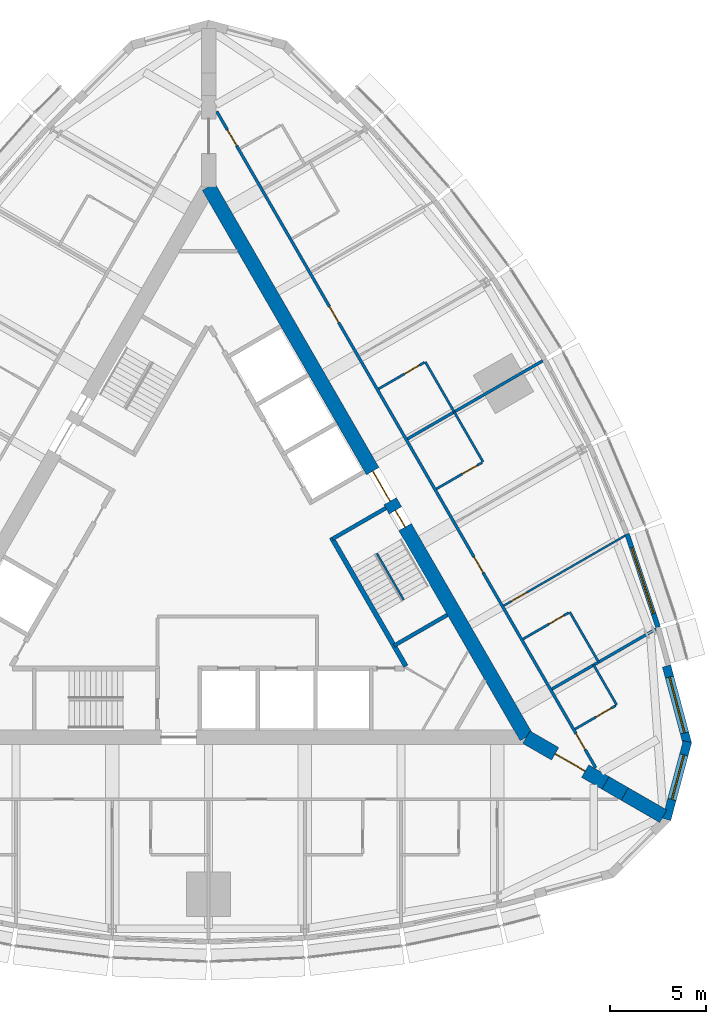
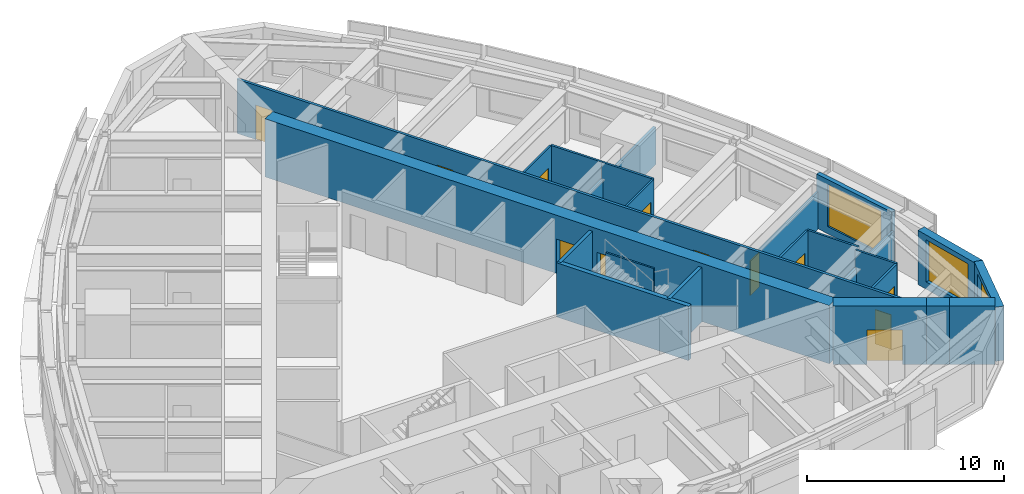
# One storey, part 12 of 15: 23 walls, 12 doors, 3 windows, 15 openings.
"""IFC4 building model written with IfcOpenShell, lengths in metres."""

from ifc_helpers import new_model, si_unit, direction, frame, frame_2d, origin, place, context, subcontext, project, spatial, polyline, rectangle, outline, extrude, material, layer, layer_set, type_object, element, fill, save


model = new_model("IFC4")

# Units and contexts
model_context = context("Model", 3, precision=1e-05, world=origin(), true_north=direction((0.0, 1.0)))
body_context = subcontext(model_context, "Body", "Model", "MODEL_VIEW")
ifc_project = project(units=[si_unit("LENGTHUNIT", "METRE"), si_unit("AREAUNIT", "SQUARE_METRE"), si_unit("VOLUMEUNIT", "CUBIC_METRE"), si_unit("PLANEANGLEUNIT", "RADIAN"), si_unit("MASSUNIT", "GRAM", prefix="KILO")], contexts=[model_context])

# Site, building, storey
site_placement = place(None, origin())
site = spatial("IfcSite", under=ifc_project, at=site_placement, CompositionType="ELEMENT")
building_placement = place(site_placement, origin())
building = spatial("IfcBuilding", under=site, at=building_placement, Name="Trikona Tower", CompositionType="ELEMENT")
storey_placement = place(building_placement, frame((0.0, 0.0, 229.699951171875)))
storey = spatial("IfcBuildingStorey", under=building, at=storey_placement, Name="L61", CompositionType="ELEMENT", Elevation=229.699951171875)

# Wall
ifc_material_1 = material(Name="Metal stud and cement board", Category="gypsum")
ifc_layer_1 = layer(ifc_material_1, 0.1201171875)
ifc_layer_set_1 = layer_set([ifc_layer_1], Name="Bathroom wall 120")
wall_type_1 = type_object("IfcWallType", Name="Bathroom wall 120", PredefinedType="PLUMBINGWALL", material=ifc_layer_set_1)
wall_1_placement = place(storey_placement, frame((21.193603515625, -7.855712890625, 0.0), z_axis=(0.0, 0.0, 1.0), x_axis=(-0.500033551112, 0.866006032174, 0.0)))
element("IfcWall", 1, at=wall_1_placement, inside=storey, type_object=wall_type_1, Name="Bathroom wall 6105", PredefinedType="PLUMBINGWALL", context=body_context, shape_type="SweptSolid", body=[
    extrude(rectangle(XDim=2.400146484375, YDim=0.1201171875, at=frame_2d((1.2001953125, 0.0))), origin(), (0.0, 0.0, 1.0), 3.35009765625),
])

# Wall, opening, door
wall_2_placement = place(storey_placement, frame((19.028564453125, -9.105712890625, 0.0), z_axis=(0.0, 0.0, 1.0), x_axis=(0.866023955769, 0.500002508028, 0.0)))
wall_2 = element("IfcWall", 2, at=wall_2_placement, inside=storey, type_object=wall_type_1, Name="Bathroom wall 6105", PredefinedType="PLUMBINGWALL", context=body_context, shape_type="SweptSolid", body=[
    extrude(rectangle(XDim=2.43994140625, YDim=0.1201171875, at=frame_2d((1.219970703125, 0.0))), origin(), (0.0, 0.0, 1.0), 3.35009765625),
])
opening_1_placement = place(wall_2_placement, frame((1.25, 0.0, 0.0)))
opening_1 = element("IfcOpeningElement", 3, at=opening_1_placement, cuts=wall_2, Name="Opening D2", PredefinedType="OPENING", context=body_context, shape_type="SweptSolid", body=[
    extrude(rectangle(XDim=0.89990234375, YDim=2.1298828125, at=frame_2d((0.449951171875, 1.06494140625))), frame((0.0, 0.070068359375, 0.0), z_axis=(0.0, -1.0, 0.0), x_axis=(1.0, 0.0, 0.0)), (0.0, 0.0, 1.0), 0.14013671875),
])
ifc_material_2 = material(Name="Steel door frame with solid-core timber leaf", Category="steel")
door_type_1 = type_object("IfcDoorType", Name="Bathroom door 900x2130", OperationType="SLIDING_TO_LEFT", PredefinedType="DOOR", material=ifc_material_2)
door_1_placement = place(opening_1_placement, origin())
door_1 = element("IfcDoor", 4, at=door_1_placement, inside=storey, type_object=door_type_1, Name="Bathroom door 6105", OperationType="SLIDING_TO_LEFT", OverallHeight=2.1298828125, OverallWidth=0.89990234375, PredefinedType="DOOR", context=body_context, shape_type="SweptSolid", body=[
    extrude(rectangle(XDim=0.89990234375, YDim=2.1298828125, at=frame_2d((0.449951171875, 1.06494140625))), frame((0.0, 0.02490234375, 0.0), z_axis=(0.0, -1.0, 0.0), x_axis=(1.0, 0.0, 0.0)), (0.0, 0.0, 1.0), 0.050048828125),
])
fill(opening_1, door_1)

# Wall
wall_3_placement = place(storey_placement, frame((20.25341796875, -5.627197265625, 0.0), z_axis=(0.0, 0.0, 1.0), x_axis=(-0.50002537861, 0.866010750942, 0.0)))
element("IfcWall", 5, at=wall_3_placement, inside=storey, type_object=wall_type_1, Name="Bathroom wall 6106.1", PredefinedType="PLUMBINGWALL", context=body_context, shape_type="SweptSolid", body=[
    extrude(rectangle(XDim=2.999755859375, YDim=0.1201171875, at=frame_2d((1.5, 0.0))), origin(), (0.0, 0.0, 1.0), 3.35009765625),
])

# Wall, opening, door
wall_4_placement = place(storey_placement, frame((16.32861328125, -4.42919921875, 0.0), z_axis=(0.0, 0.0, 1.0), x_axis=(0.865997131366, 0.500048966069, 0.0)))
wall_4 = element("IfcWall", 6, at=wall_4_placement, inside=storey, type_object=wall_type_1, Name="Bathroom wall 6106.1", PredefinedType="PLUMBINGWALL", context=body_context, shape_type="SweptSolid", body=[
    extrude(rectangle(XDim=2.739990234375, YDim=0.1201171875, at=frame_2d((1.3701171875, 0.0))), origin(), (0.0, 0.0, 1.0), 3.35009765625),
])
opening_2_placement = place(wall_4_placement, frame((1.550048828125, 0.0, 0.0)))
opening_2 = element("IfcOpeningElement", 7, at=opening_2_placement, cuts=wall_4, Name="Opening D2", PredefinedType="OPENING", context=body_context, shape_type="SweptSolid", body=[
    extrude(rectangle(XDim=0.89990234375, YDim=2.1298828125, at=frame_2d((0.449951171875, 1.06494140625))), frame((0.0, 0.070068359375, 0.0), z_axis=(0.0, -1.0, 0.0), x_axis=(1.0, 0.0, 0.0)), (0.0, 0.0, 1.0), 0.14013671875),
])
door_2_placement = place(opening_2_placement, origin())
door_2 = element("IfcDoor", 8, at=door_2_placement, inside=storey, type_object=door_type_1, Name="Bathroom door 6106.1", OperationType="SLIDING_TO_LEFT", OverallHeight=2.1298828125, OverallWidth=0.89990234375, PredefinedType="DOOR", context=body_context, shape_type="SweptSolid", body=[
    extrude(rectangle(XDim=0.89990234375, YDim=2.1298828125, at=frame_2d((0.449951171875, 1.06494140625))), frame((0.0, 0.02490234375, 0.0), z_axis=(0.0, -1.0, 0.0), x_axis=(1.0, 0.0, 0.0)), (0.0, 0.0, 1.0), 0.050048828125),
])
fill(opening_2, door_2)

# Wall
wall_5_placement = place(storey_placement, frame((14.25341796875, 4.76513671875, 0.0), z_axis=(0.0, 0.0, 1.0), x_axis=(-0.50002537861, 0.866010750942, 0.0)))
element("IfcWall", 9, at=wall_5_placement, inside=storey, type_object=wall_type_1, Name="Bathroom wall 6106.2", PredefinedType="PLUMBINGWALL", context=body_context, shape_type="SweptSolid", body=[
    extrude(rectangle(XDim=2.999755859375, YDim=0.1201171875, at=frame_2d((1.5, 0.0))), origin(), (0.0, 0.0, 1.0), 3.35009765625),
])

# Wall, opening, door
wall_6_placement = place(storey_placement, frame((11.82861328125, 3.364990234375, 0.0), z_axis=(0.0, 0.0, 1.0), x_axis=(0.865997131366, 0.500048966069, 0.0)))
wall_6 = element("IfcWall", 10, at=wall_6_placement, inside=storey, type_object=wall_type_1, Name="Bathroom wall 6106.2", PredefinedType="PLUMBINGWALL", context=body_context, shape_type="SweptSolid", body=[
    extrude(rectangle(XDim=2.739990234375, YDim=0.1201171875, at=frame_2d((1.3701171875, 0.0))), origin(), (0.0, 0.0, 1.0), 3.35009765625),
])
opening_3_placement = place(wall_6_placement, frame((1.550048828125, 0.0, 0.0)))
opening_3 = element("IfcOpeningElement", 11, at=opening_3_placement, cuts=wall_6, Name="Opening D2", PredefinedType="OPENING", context=body_context, shape_type="SweptSolid", body=[
    extrude(rectangle(XDim=0.89990234375, YDim=2.1298828125, at=frame_2d((0.449951171875, 1.06494140625))), frame((0.0, 0.070068359375, 0.0), z_axis=(0.0, -1.0, 0.0), x_axis=(1.0, 0.0, 0.0)), (0.0, 0.0, 1.0), 0.14013671875),
])
door_3_placement = place(opening_3_placement, origin())
door_3 = element("IfcDoor", 12, at=door_3_placement, inside=storey, type_object=door_type_1, Name="Bathroom door 6106.2", OperationType="SLIDING_TO_LEFT", OverallHeight=2.1298828125, OverallWidth=0.89990234375, PredefinedType="DOOR", context=body_context, shape_type="SweptSolid", body=[
    extrude(rectangle(XDim=0.89990234375, YDim=2.1298828125, at=frame_2d((0.449951171875, 1.06494140625))), frame((0.0, 0.02490234375, 0.0), z_axis=(0.0, -1.0, 0.0), x_axis=(1.0, 0.0, 0.0)), (0.0, 0.0, 1.0), 0.050048828125),
])
fill(opening_3, door_3)

# Wall
wall_7_placement = place(storey_placement, frame((12.75341796875, 7.363037109375, 0.0), z_axis=(0.0, 0.0, 1.0), x_axis=(-0.499990139034, 0.866031096941, 0.0)))
element("IfcWall", 13, at=wall_7_placement, inside=storey, type_object=wall_type_1, Name="Bathroom wall 6107.1", PredefinedType="PLUMBINGWALL", context=body_context, shape_type="SweptSolid", body=[
    extrude(rectangle(XDim=3.0, YDim=0.1201171875, at=frame_2d((1.5, 0.0))), origin(), (0.0, 0.0, 1.0), 3.35009765625),
])

# Wall, opening, door
wall_8_placement = place(storey_placement, frame((8.82861328125, 8.561279296875, 0.0), z_axis=(0.0, 0.0, 1.0), x_axis=(0.866035715982, 0.499982138324, 0.0)))
wall_8 = element("IfcWall", 14, at=wall_8_placement, inside=storey, type_object=wall_type_1, Name="Bathroom wall 6107.1", PredefinedType="PLUMBINGWALL", context=body_context, shape_type="SweptSolid", body=[
    extrude(rectangle(XDim=2.73974609375, YDim=0.1201171875, at=frame_2d((1.369873046875, 0.0))), origin(), (0.0, 0.0, 1.0), 3.35009765625),
])
opening_4_placement = place(wall_8_placement, frame((1.550048828125, 0.0, 0.0)))
opening_4 = element("IfcOpeningElement", 15, at=opening_4_placement, cuts=wall_8, Name="Opening D2", PredefinedType="OPENING", context=body_context, shape_type="SweptSolid", body=[
    extrude(rectangle(XDim=0.89990234375, YDim=2.1298828125, at=frame_2d((0.449951171875, 1.06494140625))), frame((0.0, 0.070068359375, 0.0), z_axis=(0.0, -1.0, 0.0), x_axis=(1.0, 0.0, 0.0)), (0.0, 0.0, 1.0), 0.14013671875),
])
door_4_placement = place(opening_4_placement, origin())
door_4 = element("IfcDoor", 16, at=door_4_placement, inside=storey, type_object=door_type_1, Name="Bathroom door 6107.1", OperationType="SLIDING_TO_LEFT", OverallHeight=2.1298828125, OverallWidth=0.89990234375, PredefinedType="DOOR", context=body_context, shape_type="SweptSolid", body=[
    extrude(rectangle(XDim=0.89990234375, YDim=2.1298828125, at=frame_2d((0.449951171875, 1.06494140625))), frame((0.0, 0.02490234375, 0.0), z_axis=(0.0, -1.0, 0.0), x_axis=(1.0, 0.0, 0.0)), (0.0, 0.0, 1.0), 0.050048828125),
])
fill(opening_4, door_4)

# Wall, opening, window
ifc_material_3 = material(Name="Brick-faced precast concrete", Category="masonry")
ifc_layer_2 = layer(ifc_material_3, 0.449951171875)
ifc_layer_set_2 = layer_set([ifc_layer_2], Name="Brick-faced corner wall 450")
wall_type_2 = type_object("IfcWallType", Name="Brick-faced corner wall 450", PredefinedType="SOLIDWALL", material=ifc_layer_set_2)
wall_9_placement = place(storey_placement, frame((23.78271484375, -13.798095703125, 0.0), z_axis=(0.0, 0.0, 1.0), x_axis=(0.258799282522, 0.96593112144, 0.0)))
wall_9 = element("IfcWall", 17, at=wall_9_placement, inside=storey, type_object=wall_type_2, Name="External wall L61-10", PredefinedType="SOLIDWALL", context=body_context, shape_type="SweptSolid", body=[
    extrude(outline(polyline([(4.183837890625, 0.22509765625), (0.5087890625, 0.22509765625), (0.478759765625, 0.112548828125), (0.059326171875, 0.22509765625), (0.0, 0.22509765625), (0.0, -0.22509765625), (4.183837890625, -0.22509765625), (4.183837890625, 0.22509765625)])), origin(), (0.0, 0.0, 1.0), 3.35009765625),
])
opening_5_placement = place(wall_9_placement, frame((1.0712890625, 0.0, 0.449951171875)))
opening_5 = element("IfcOpeningElement", 18, at=opening_5_placement, cuts=wall_9, Name="Opening W2426", PredefinedType="OPENING", context=body_context, shape_type="SweptSolid", body=[
    extrude(rectangle(XDim=2.39990234375, YDim=2.60009765625, at=frame_2d((1.199951171875, 1.300048828125))), frame((0.0, 0.23486328125, 0.0), z_axis=(0.0, -1.0, 0.0), x_axis=(1.0, 0.0, 0.0)), (0.0, 0.0, 1.0), 0.469970703125),
])
ifc_material_4 = material(Name="Aluminium-framed double glazing", Category="aluminium")
window_type_1 = type_object("IfcWindowType", Name="Window 2400x2600", PartitioningType="SINGLE_PANEL", PredefinedType="WINDOW", material=ifc_material_4)
window_1_placement = place(opening_5_placement, origin())
window_1 = element("IfcWindow", 19, at=window_1_placement, inside=storey, type_object=window_type_1, Name="Window 6105", OverallHeight=2.60009765625, OverallWidth=2.39990234375, PartitioningType="SINGLE_PANEL", PredefinedType="WINDOW", context=body_context, shape_type="SweptSolid", body=[
    extrude(rectangle(XDim=2.39990234375, YDim=2.60009765625, at=frame_2d((1.199951171875, 1.300048828125))), frame((0.0, 0.030029296875, 0.0), z_axis=(0.0, -1.0, 0.0), x_axis=(1.0, 0.0, 0.0)), (0.0, 0.0, 1.0), 0.06005859375),
])
fill(opening_5, window_1)

wall_10_placement = place(storey_placement, frame((24.865478515625, -9.873291015625, 0.0), z_axis=(0.0, 0.0, 1.0), x_axis=(-0.258784695888, 0.965935029479, 0.0)))
wall_10 = element("IfcWall", 20, at=wall_10_placement, inside=storey, type_object=wall_type_2, Name="External wall L61-11", PredefinedType="SOLIDWALL", context=body_context, shape_type="SweptSolid", body=[
    extrude(rectangle(XDim=4.18408203125, YDim=0.449951171875, at=frame_2d((2.092041015625, 0.0))), origin(), (0.0, 0.0, 1.0), 3.35009765625),
])
opening_6_placement = place(wall_10_placement, frame((0.592041015625, 0.0, 0.449951171875)))
opening_6 = element("IfcOpeningElement", 21, at=opening_6_placement, cuts=wall_10, Name="Opening W3026", PredefinedType="OPENING", context=body_context, shape_type="SweptSolid", body=[
    extrude(rectangle(XDim=3.0, YDim=2.60009765625, at=frame_2d((1.5, 1.300048828125))), frame((0.0, 0.23486328125, 0.0), z_axis=(0.0, -1.0, 0.0), x_axis=(1.0, 0.0, 0.0)), (0.0, 0.0, 1.0), 0.469970703125),
])
ifc_material_5 = material(Name="Aluminium-framed double glazing", Category="aluminium")
window_type_2 = type_object("IfcWindowType", Name="Window 3000x2600", PartitioningType="SINGLE_PANEL", PredefinedType="WINDOW", material=ifc_material_5)
window_2_placement = place(opening_6_placement, origin())
window_2 = element("IfcWindow", 22, at=window_2_placement, inside=storey, type_object=window_type_2, Name="Window 6105", OverallHeight=2.60009765625, OverallWidth=3.0, PartitioningType="SINGLE_PANEL", PredefinedType="WINDOW", context=body_context, shape_type="SweptSolid", body=[
    extrude(rectangle(XDim=3.0, YDim=2.60009765625, at=frame_2d((1.5, 1.300048828125))), frame((0.0, 0.030029296875, 0.0), z_axis=(0.0, -1.0, 0.0), x_axis=(1.0, 0.0, 0.0)), (0.0, 0.0, 1.0), 0.06005859375),
])
fill(opening_6, window_2)

# Wall, opening, door
ifc_material_6 = material(Name="Concrete f'c 10000 psi", Category="concrete")
ifc_layer_3 = layer(ifc_material_6, 0.75)
ifc_layer_set_3 = layer_set([ifc_layer_3], Name="Buttress wall 750")
wall_type_3 = type_object("IfcWallType", Name="Buttress wall 750", PredefinedType="SHEAR", material=ifc_layer_set_3)
wall_11_placement = place(storey_placement, frame((16.5, -9.5263671875, 0.0), z_axis=(0.0, 0.0, 1.0), x_axis=(0.866031398331, -0.499989616998, 0.0)))
wall_11 = element("IfcWall", 23, at=wall_11_placement, inside=storey, type_object=wall_type_3, Name="Buttress wall 1", PredefinedType="SHEAR", context=body_context, shape_type="SweptSolid", body=[
    extrude(rectangle(XDim=4.74609375, YDim=0.75, at=frame_2d((2.373046875, 0.0))), origin(), (0.0, 0.0, 1.0), 3.60009765625),
])
opening_7_placement = place(wall_11_placement, frame((1.72509765625, 0.0, 0.0)))
opening_7 = element("IfcOpeningElement", 24, at=opening_7_placement, cuts=wall_11, Name="Opening D10", PredefinedType="OPENING", context=body_context, shape_type="SweptSolid", body=[
    extrude(rectangle(XDim=1.800048828125, YDim=2.1298828125, at=frame_2d((0.89990234375, 1.06494140625))), frame((0.0, 0.385009765625, 0.0), z_axis=(0.0, -1.0, 0.0), x_axis=(1.0, 0.0, 0.0)), (0.0, 0.0, 1.0), 0.77001953125),
])
ifc_material_7 = material(Name="Hollow metal door and frame", Category="steel")
door_type_2 = type_object("IfcDoorType", Name="Cross-corridor door pair 1800x2130", OperationType="DOUBLE_DOOR_DOUBLE_SWING", PredefinedType="DOOR", material=ifc_material_7)
door_5_placement = place(opening_7_placement, origin())
door_5 = element("IfcDoor", 25, at=door_5_placement, inside=storey, type_object=door_type_2, Name="Cross-corridor door 1", OperationType="DOUBLE_DOOR_DOUBLE_SWING", OverallHeight=2.1298828125, OverallWidth=1.800048828125, PredefinedType="DOOR", context=body_context, shape_type="SweptSolid", body=[
    extrude(rectangle(XDim=1.800048828125, YDim=2.1298828125, at=frame_2d((0.89990234375, 1.06494140625))), frame((0.0, 0.02490234375, 0.0), z_axis=(0.0, -1.0, 0.0), x_axis=(1.0, 0.0, 0.0)), (0.0, 0.0, 1.0), 0.050048828125),
])
fill(opening_7, door_5)

# Walls
wall_12_placement = place(storey_placement, frame((20.6103515625, -11.8994140625, 0.0), z_axis=(0.0, 0.0, 1.0), x_axis=(0.866009537788, -0.500027479704, 0.0)))
element("IfcWall", 26, at=wall_12_placement, inside=storey, type_object=wall_type_3, Name="Buttress wall 1 part 2", PredefinedType="SHEAR", context=body_context, shape_type="SweptSolid", body=[
    extrude(rectangle(XDim=1.15478515625, YDim=0.75, at=frame_2d((0.577392578125, 0.0))), origin(), (0.0, 0.0, 1.0), 3.60009765625),
])
wall_13_placement = place(storey_placement, frame((21.6103515625, -12.476806640625, 0.0), z_axis=(0.0, 0.0, 1.0), x_axis=(0.866055313784, -0.499948190782, 0.0)))
element("IfcWall", 27, at=wall_13_placement, inside=storey, type_object=wall_type_3, Name="Buttress wall 1 part 3", PredefinedType="SHEAR", context=body_context, shape_type="SweptSolid", body=[
    extrude(rectangle(XDim=2.309326171875, YDim=0.75, at=frame_2d((1.15478515625, 0.0))), origin(), (0.0, 0.0, 1.0), 3.60009765625),
])

# Wall, openings, doors
ifc_material_8 = material(Name="Concrete f'c 10000 psi", Category="concrete")
ifc_layer_4 = layer(ifc_material_8, 0.75)
ifc_layer_set_4 = layer_set([ifc_layer_4], Name="Core wall 750")
wall_type_4 = type_object("IfcWallType", Name="Core wall 750", PredefinedType="SHEAR", material=ifc_layer_set_4)
wall_14_placement = place(storey_placement, frame((16.5, -9.5263671875, 0.0), z_axis=(0.0, 0.0, 1.0), x_axis=(-0.499999749417, 0.866025548458, 0.0)))
wall_14 = element("IfcWall", 28, at=wall_14_placement, inside=storey, type_object=wall_type_4, Name="Core wall B", PredefinedType="SHEAR", context=body_context, shape_type="SweptSolid", body=[
    extrude(rectangle(XDim=33.0, YDim=0.75, at=frame_2d((16.5, 0.0))), origin(), (0.0, 0.0, 1.0), 3.60009765625),
])
opening_8_placement = place(wall_14_placement, frame((14.14990234375, 0.0, 0.0)))
opening_8 = element("IfcOpeningElement", 29, at=opening_8_placement, cuts=wall_14, Name="Opening D6", PredefinedType="OPENING", context=body_context, shape_type="SweptSolid", body=[
    extrude(rectangle(XDim=1.800048828125, YDim=2.1298828125, at=frame_2d((0.89990234375, 1.06494140625))), frame((0.0, 0.385009765625, 0.0), z_axis=(0.0, -1.0, 0.0), x_axis=(1.0, 0.0, 0.0)), (0.0, 0.0, 1.0), 0.77001953125),
])
opening_9_placement = place(wall_14_placement, frame((12.60009765625, 0.0, 0.0)))
opening_9 = element("IfcOpeningElement", 30, at=opening_9_placement, cuts=wall_14, Name="Opening D5", PredefinedType="OPENING", context=body_context, shape_type="SweptSolid", body=[
    extrude(rectangle(XDim=1.0, YDim=2.1298828125, at=frame_2d((0.5, 1.06494140625))), frame((0.0, 0.385009765625, 0.0), z_axis=(0.0, -1.0, 0.0), x_axis=(1.0, 0.0, 0.0)), (0.0, 0.0, 1.0), 0.77001953125),
])
ifc_material_9 = material(Name="Hollow metal door and frame", Category="steel")
door_type_3 = type_object("IfcDoorType", Name="Lobby door pair 1800x2130", OperationType="DOUBLE_DOOR_SINGLE_SWING", PredefinedType="DOOR", material=ifc_material_9)
door_6_placement = place(opening_8_placement, origin())
door_6 = element("IfcDoor", 31, at=door_6_placement, inside=storey, type_object=door_type_3, Name="Lift lobby door B", OperationType="DOUBLE_DOOR_SINGLE_SWING", OverallHeight=2.1298828125, OverallWidth=1.800048828125, PredefinedType="DOOR", context=body_context, shape_type="SweptSolid", body=[
    extrude(rectangle(XDim=1.800048828125, YDim=2.1298828125, at=frame_2d((0.89990234375, 1.06494140625))), frame((0.0, 0.02490234375, 0.0), z_axis=(0.0, -1.0, 0.0), x_axis=(1.0, 0.0, 0.0)), (0.0, 0.0, 1.0), 0.050048828125),
])
fill(opening_8, door_6)
ifc_material_10 = material(Name="Hollow metal door and frame", Category="steel")
door_type_4 = type_object("IfcDoorType", Name="Stair door 1000x2130", OperationType="SINGLE_SWING_LEFT", PredefinedType="DOOR", material=ifc_material_10)
door_7_placement = place(opening_9_placement, origin())
door_7 = element("IfcDoor", 32, at=door_7_placement, inside=storey, type_object=door_type_4, Name="Stair B door", OperationType="SINGLE_SWING_RIGHT", OverallHeight=2.1298828125, OverallWidth=1.0, PredefinedType="DOOR", context=body_context, shape_type="SweptSolid", body=[
    extrude(rectangle(XDim=1.0, YDim=2.1298828125, at=frame_2d((0.5, 1.06494140625))), frame((0.0, 0.02490234375, 0.0), z_axis=(0.0, -1.0, 0.0), x_axis=(1.0, 0.0, 0.0)), (0.0, 0.0, 1.0), 0.050048828125),
])
fill(opening_9, door_7)

ifc_material_11 = material(Name="Metal stud and gypsum board, 1-hour", Category="gypsum")
ifc_layer_5 = layer(ifc_material_11, 0.14990234375)
ifc_layer_set_5 = layer_set([ifc_layer_5], Name="Corridor wall 150")
wall_type_5 = type_object("IfcWallType", Name="Corridor wall 150", PredefinedType="PARTITIONING", material=ifc_layer_set_5)
wall_15_placement = place(storey_placement, frame((20.10205078125, -11.115234375, 0.0), z_axis=(0.0, 0.0, 1.0), x_axis=(-0.500000265775, 0.866025250339, 0.0)))
wall_15 = element("IfcWall", 33, at=wall_15_placement, inside=storey, type_object=wall_type_5, Name="Corridor wall L61-2", PredefinedType="PARTITIONING", context=body_context, shape_type="SweptSolid", body=[
    extrude(rectangle(XDim=39.35400390625, YDim=0.14990234375, at=frame_2d((19.677001953125, 0.0))), origin(), (0.0, 0.0, 1.0), 3.35009765625),
])
opening_10_placement = place(wall_15_placement, frame((1.10205078125, 0.0, 0.0)))
opening_10 = element("IfcOpeningElement", 34, at=opening_10_placement, cuts=wall_15, Name="Opening D1", PredefinedType="OPENING", context=body_context, shape_type="SweptSolid", body=[
    extrude(rectangle(XDim=0.949951171875, YDim=2.1298828125, at=frame_2d((0.47509765625, 1.06494140625))), frame((0.0, 0.0849609375, 0.0), z_axis=(0.0, -1.0, 0.0), x_axis=(1.0, 0.0, 0.0)), (0.0, 0.0, 1.0), 0.169921875),
])
opening_11_placement = place(wall_15_placement, frame((11.701904296875, 0.0, 0.0)))
opening_11 = element("IfcOpeningElement", 35, at=opening_11_placement, cuts=wall_15, Name="Opening D1", PredefinedType="OPENING", context=body_context, shape_type="SweptSolid", body=[
    extrude(rectangle(XDim=0.949951171875, YDim=2.1298828125, at=frame_2d((0.47509765625, 1.06494140625))), frame((0.0, 0.0849609375, 0.0), z_axis=(0.0, -1.0, 0.0), x_axis=(1.0, 0.0, 0.0)), (0.0, 0.0, 1.0), 0.169921875),
])
opening_12_placement = place(wall_15_placement, frame((26.701904296875, 0.0, 0.0)))
opening_12 = element("IfcOpeningElement", 36, at=opening_12_placement, cuts=wall_15, Name="Opening D1", PredefinedType="OPENING", context=body_context, shape_type="SweptSolid", body=[
    extrude(rectangle(XDim=0.949951171875, YDim=2.1298828125, at=frame_2d((0.47509765625, 1.06494140625))), frame((0.0, 0.0849609375, 0.0), z_axis=(0.0, -1.0, 0.0), x_axis=(1.0, 0.0, 0.0)), (0.0, 0.0, 1.0), 0.169921875),
])
opening_13_placement = place(wall_15_placement, frame((37.302001953125, 0.0, 0.0)))
opening_13 = element("IfcOpeningElement", 37, at=opening_13_placement, cuts=wall_15, Name="Opening D1", PredefinedType="OPENING", context=body_context, shape_type="SweptSolid", body=[
    extrude(rectangle(XDim=0.949951171875, YDim=2.1298828125, at=frame_2d((0.47509765625, 1.06494140625))), frame((0.0, 0.0849609375, 0.0), z_axis=(0.0, -1.0, 0.0), x_axis=(1.0, 0.0, 0.0)), (0.0, 0.0, 1.0), 0.169921875),
])
ifc_material_12 = material(Name="Steel door frame with solid-core timber leaf", Category="steel")
door_type_5 = type_object("IfcDoorType", Name="Guest room door 950x2130", OperationType="SINGLE_SWING_LEFT", PredefinedType="DOOR", material=ifc_material_12)
door_8_placement = place(opening_10_placement, origin())
door_8 = element("IfcDoor", 38, at=door_8_placement, inside=storey, type_object=door_type_5, Name="Room door 6105", OperationType="SINGLE_SWING_LEFT", OverallHeight=2.1298828125, OverallWidth=0.949951171875, PredefinedType="DOOR", context=body_context, shape_type="SweptSolid", body=[
    extrude(rectangle(XDim=0.949951171875, YDim=2.1298828125, at=frame_2d((0.47509765625, 1.06494140625))), frame((0.0, 0.02490234375, 0.0), z_axis=(0.0, -1.0, 0.0), x_axis=(1.0, 0.0, 0.0)), (0.0, 0.0, 1.0), 0.050048828125),
])
fill(opening_10, door_8)
door_9_placement = place(opening_11_placement, origin())
door_9 = element("IfcDoor", 39, at=door_9_placement, inside=storey, type_object=door_type_5, Name="Room door 6106", OperationType="SINGLE_SWING_RIGHT", OverallHeight=2.1298828125, OverallWidth=0.949951171875, PredefinedType="DOOR", context=body_context, shape_type="SweptSolid", body=[
    extrude(rectangle(XDim=0.949951171875, YDim=2.1298828125, at=frame_2d((0.47509765625, 1.06494140625))), frame((0.0, 0.02490234375, 0.0), z_axis=(0.0, -1.0, 0.0), x_axis=(1.0, 0.0, 0.0)), (0.0, 0.0, 1.0), 0.050048828125),
])
fill(opening_11, door_9)
door_10_placement = place(opening_12_placement, origin())
door_10 = element("IfcDoor", 40, at=door_10_placement, inside=storey, type_object=door_type_5, Name="Room door 6107", OperationType="SINGLE_SWING_LEFT", OverallHeight=2.1298828125, OverallWidth=0.949951171875, PredefinedType="DOOR", context=body_context, shape_type="SweptSolid", body=[
    extrude(rectangle(XDim=0.949951171875, YDim=2.1298828125, at=frame_2d((0.47509765625, 1.06494140625))), frame((0.0, 0.02490234375, 0.0), z_axis=(0.0, -1.0, 0.0), x_axis=(1.0, 0.0, 0.0)), (0.0, 0.0, 1.0), 0.050048828125),
])
fill(opening_12, door_10)
door_11_placement = place(opening_13_placement, origin())
door_11 = element("IfcDoor", 41, at=door_11_placement, inside=storey, type_object=door_type_5, Name="Room door 6108", OperationType="SINGLE_SWING_RIGHT", OverallHeight=2.1298828125, OverallWidth=0.949951171875, PredefinedType="DOOR", context=body_context, shape_type="SweptSolid", body=[
    extrude(rectangle(XDim=0.949951171875, YDim=2.1298828125, at=frame_2d((0.47509765625, 1.06494140625))), frame((0.0, 0.02490234375, 0.0), z_axis=(0.0, -1.0, 0.0), x_axis=(1.0, 0.0, 0.0)), (0.0, 0.0, 1.0), 0.050048828125),
])
fill(opening_13, door_11)

# Wall
ifc_material_13 = material(Name="Concrete f'c 8000 psi", Category="concrete")
ifc_layer_6 = layer(ifc_material_13, 0.25)
ifc_layer_set_6 = layer_set([ifc_layer_6], Name="Hub wall 250")
wall_type_6 = type_object("IfcWallType", Name="Hub wall 250", PredefinedType="SOLIDWALL", material=ifc_layer_set_6)
wall_16_placement = place(storey_placement, frame((10.245361328125, -5.843017578125, 0.0), z_axis=(0.0, 0.0, 1.0), x_axis=(-0.499993009313, 0.866029439822, 0.0)))
element("IfcWall", 42, at=wall_16_placement, inside=storey, type_object=wall_type_6, Name="Lift lobby wall B1", PredefinedType="SOLIDWALL", context=body_context, shape_type="SweptSolid", body=[
    extrude(rectangle(XDim=7.73291015625, YDim=0.25, at=frame_2d((3.866455078125, 0.0))), origin(), (0.0, 0.0, 1.0), 3.35009765625),
])

# Wall, opening, window
ifc_material_14 = material(Name="Insulated precast concrete spandrel panel", Category="concrete")
ifc_layer_7 = layer(ifc_material_14, 0.25)
ifc_layer_set_7 = layer_set([ifc_layer_7], Name="Inner skin wall 250")
wall_type_7 = type_object("IfcWallType", Name="Inner skin wall 250", PredefinedType="STANDARD", material=ifc_layer_set_7)
wall_17_placement = place(storey_placement, frame((23.337890625, -3.8173828125, 0.0), z_axis=(0.0, 0.0, 1.0), x_axis=(-0.315108478109, 0.949055660656, 0.0)))
wall_17 = element("IfcWall", 43, at=wall_17_placement, inside=storey, type_object=wall_type_7, Name="External wall L61-13", PredefinedType="STANDARD", context=body_context, shape_type="SweptSolid", body=[
    extrude(rectangle(XDim=5.10498046875, YDim=0.25, at=frame_2d((2.552490234375, 0.0))), origin(), (0.0, 0.0, 1.0), 3.35009765625),
])
opening_14_placement = place(wall_17_placement, frame((0.75244140625, 0.0, 0.449951171875)))
opening_14 = element("IfcOpeningElement", 44, at=opening_14_placement, cuts=wall_17, Name="Opening W3626", PredefinedType="OPENING", context=body_context, shape_type="SweptSolid", body=[
    extrude(rectangle(XDim=3.60009765625, YDim=2.60009765625, at=frame_2d((1.800048828125, 1.300048828125))), frame((0.0, 0.135009765625, 0.0), z_axis=(0.0, -1.0, 0.0), x_axis=(1.0, 0.0, 0.0)), (0.0, 0.0, 1.0), 0.27001953125),
])
ifc_material_15 = material(Name="Aluminium-framed double glazing", Category="aluminium")
window_type_3 = type_object("IfcWindowType", Name="Window 3600x2600", PartitioningType="SINGLE_PANEL", PredefinedType="WINDOW", material=ifc_material_15)
window_3_placement = place(opening_14_placement, origin())
window_3 = element("IfcWindow", 45, at=window_3_placement, inside=storey, type_object=window_type_3, Name="Window 6106.1", OverallHeight=2.60009765625, OverallWidth=3.60009765625, PartitioningType="SINGLE_PANEL", PredefinedType="WINDOW", context=body_context, shape_type="SweptSolid", body=[
    extrude(rectangle(XDim=3.60009765625, YDim=2.60009765625, at=frame_2d((1.800048828125, 1.300048828125))), frame((0.0, 0.030029296875, 0.0), z_axis=(0.0, -1.0, 0.0), x_axis=(1.0, 0.0, 0.0)), (0.0, 0.0, 1.0), 0.06005859375),
])
fill(opening_14, window_3)

# Walls
ifc_material_16 = material(Name="Metal stud and gypsum board, 1-hour acoustic", Category="gypsum")
ifc_layer_8 = layer(ifc_material_16, 0.14990234375)
ifc_layer_set_8 = layer_set([ifc_layer_8], Name="Party wall 150")
wall_type_8 = type_object("IfcWallType", Name="Party wall 150", PredefinedType="PARTITIONING", material=ifc_layer_set_8)
wall_18_placement = place(storey_placement, frame((17.82861328125, -7.027099609375, 0.0), z_axis=(0.0, 0.0, 1.0), x_axis=(0.866026604282, 0.499997920671, 0.0)))
element("IfcWall", 46, at=wall_18_placement, inside=storey, type_object=wall_type_8, Name="Partition L61 F2 u-15", PredefinedType="PARTITIONING", context=body_context, shape_type="SweptSolid", body=[
    extrude(rectangle(XDim=6.23974609375, YDim=0.14990234375, at=frame_2d((3.119873046875, 0.0))), origin(), (0.0, 0.0, 1.0), 2.25),
])
wall_19_placement = place(storey_placement, frame((10.32861328125, 5.963134765625, 0.0), z_axis=(0.0, 0.0, 1.0), x_axis=(0.866016460812, 0.500015489362, 0.0)))
element("IfcWall", 47, at=wall_19_placement, inside=storey, type_object=wall_type_8, Name="Partition L61 F2 u-2.10942e-15", PredefinedType="PARTITIONING", context=body_context, shape_type="SweptSolid", body=[
    extrude(rectangle(XDim=8.101318359375, YDim=0.14990234375, at=frame_2d((4.05078125, 0.0))), origin(), (0.0, 0.0, 1.0), 2.30859375),
])
ifc_material_17 = material(Name="Concrete f'c 8000 psi", Category="concrete")
ifc_layer_9 = layer(ifc_material_17, 0.199951171875)
ifc_layer_set_9 = layer_set([ifc_layer_9], Name="Shaft wall 200 load-bearing")
wall_type_9 = type_object("IfcWallType", Name="Shaft wall 200 load-bearing", PredefinedType="SOLIDWALL", material=ifc_layer_set_9)
for number, where, z_axis, x_axis, name in (
    (48, (9.62890625, -4.775390625, 0.0), (0.0, 0.0, 1.0), (0.866008981251, 0.500028443584, 0.0), "Shaft wall B1"),
    (49, (6.428955078125, 0.767333984375, 0.0), (0.0, 0.0, 1.0), (0.866042017984, 0.499971222258, 0.0), "Shaft wall B2"),
):
    element("IfcWall", number, at=place(storey_placement, frame(where, z_axis=z_axis, x_axis=x_axis)), inside=storey, type_object=wall_type_9, Name=name, PredefinedType="SOLIDWALL", context=body_context, shape_type="SweptSolid", body=[
        extrude(rectangle(XDim=3.199951171875, YDim=0.199951171875, at=frame_2d((1.60009765625, 0.0))), origin(), (0.0, 0.0, 1.0), 3.35009765625),
    ])
ifc_material_18 = material(Name="Concrete f'c 5000 psi", Category="concrete")
ifc_layer_10 = layer(ifc_material_18, 0.10009765625)
ifc_layer_set_10 = layer_set([ifc_layer_10], Name="Stair spine wall 100")
wall_type_10 = type_object("IfcWallType", Name="Stair spine wall 100", PredefinedType="SOLIDWALL", material=ifc_layer_set_10)
wall_20_placement = place(storey_placement, frame((10.134765625, -2.4013671875, 0.0), z_axis=(0.0, 0.0, 1.0), x_axis=(-0.499992232847, 0.866029888106, 0.0)))
element("IfcWall", 50, at=wall_20_placement, inside=storey, type_object=wall_type_10, Name="Stair B spine wall L61", PredefinedType="SOLIDWALL", context=body_context, shape_type="SweptSolid", body=[
    extrude(rectangle(XDim=2.7939453125, YDim=0.10009765625, at=frame_2d((1.39697265625, 0.0))), origin(), (0.0, 0.0, 1.0), 3.60009765625),
])

# Wall, opening, door
ifc_material_19 = material(Name="Metal stud and gypsum board, acoustic", Category="gypsum")
ifc_layer_11 = layer(ifc_material_19, 0.10009765625)
ifc_layer_set_11 = layer_set([ifc_layer_11], Name="Suite partition 100")
wall_type_11 = type_object("IfcWallType", Name="Suite partition 100", PredefinedType="PARTITIONING", material=ifc_layer_set_11)
wall_21_placement = place(storey_placement, frame((15.32861328125, -2.697021484375, 0.0), z_axis=(0.0, 0.0, 1.0), x_axis=(0.866032413668, 0.499987858329, 0.0)))
wall_21 = element("IfcWall", 51, at=wall_21_placement, inside=storey, type_object=wall_type_11, Name="Suite partition L61 F2 u-10", PredefinedType="PARTITIONING", context=body_context, shape_type="SweptSolid", body=[
    extrude(rectangle(XDim=7.272705078125, YDim=0.10009765625, at=frame_2d((3.63623046875, 0.0))), origin(), (0.0, 0.0, 1.0), 2.30859375),
])
opening_15_placement = place(wall_21_placement, frame((0.449951171875, 0.0, 0.0)))
opening_15 = element("IfcOpeningElement", 52, at=opening_15_placement, cuts=wall_21, Name="Opening D13", PredefinedType="OPENING", context=body_context, shape_type="SweptSolid", body=[
    extrude(rectangle(XDim=0.89990234375, YDim=2.1298828125, at=frame_2d((0.449951171875, 1.06494140625))), frame((0.0, 0.06005859375, 0.0), z_axis=(0.0, -1.0, 0.0), x_axis=(1.0, 0.0, 0.0)), (0.0, 0.0, 1.0), 0.1201171875),
])
ifc_material_20 = material(Name="Steel door frame with solid-core timber leaf", Category="steel")
door_type_6 = type_object("IfcDoorType", Name="Suite door 900x2130", OperationType="SINGLE_SWING_LEFT", PredefinedType="DOOR", material=ifc_material_20)
door_12_placement = place(opening_15_placement, origin())
door_12 = element("IfcDoor", 53, at=door_12_placement, inside=storey, type_object=door_type_6, Name="Suite door 6106", OperationType="SINGLE_SWING_LEFT", OverallHeight=2.1298828125, OverallWidth=0.89990234375, PredefinedType="DOOR", context=body_context, shape_type="SweptSolid", body=[
    extrude(rectangle(XDim=0.89990234375, YDim=2.1298828125, at=frame_2d((0.449951171875, 1.06494140625))), frame((0.0, 0.02490234375, 0.0), z_axis=(0.0, -1.0, 0.0), x_axis=(1.0, 0.0, 0.0)), (0.0, 0.0, 1.0), 0.050048828125),
])
fill(opening_15, door_12)

save(model, "model.ifc")
